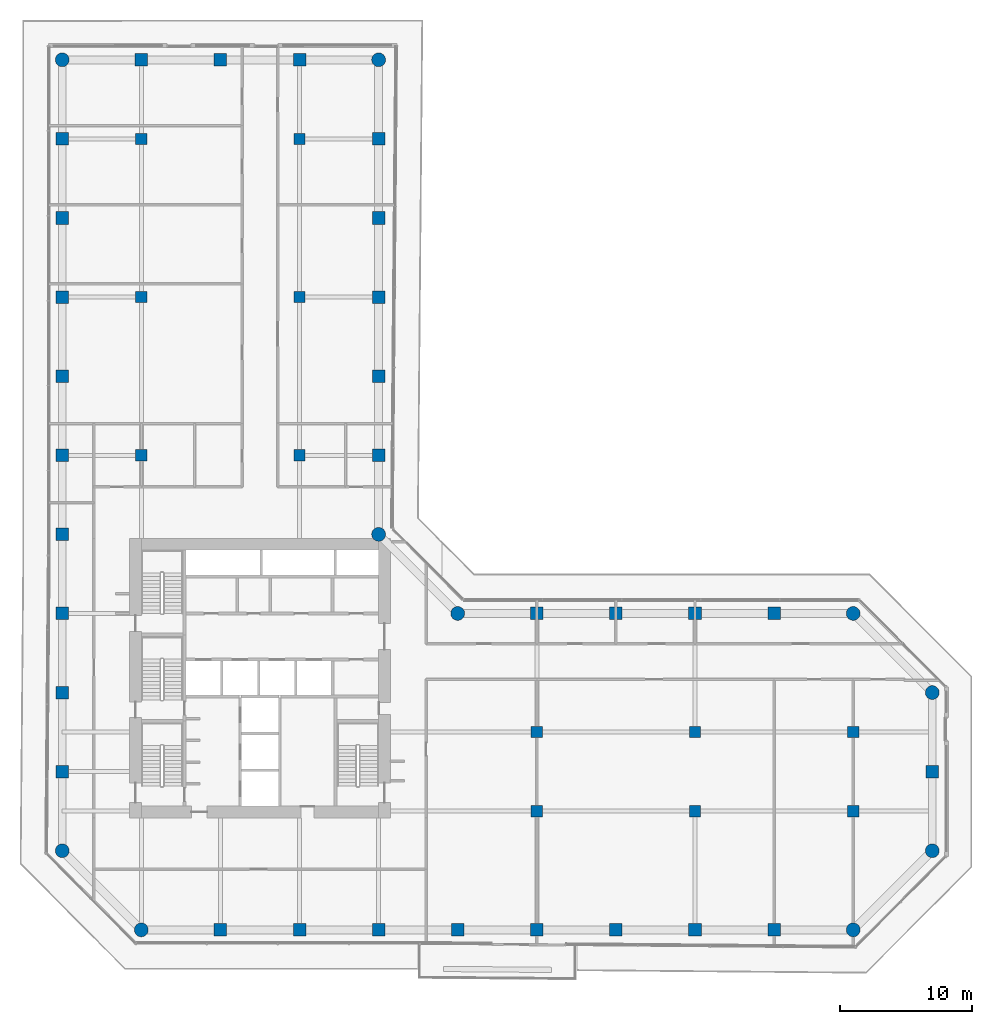
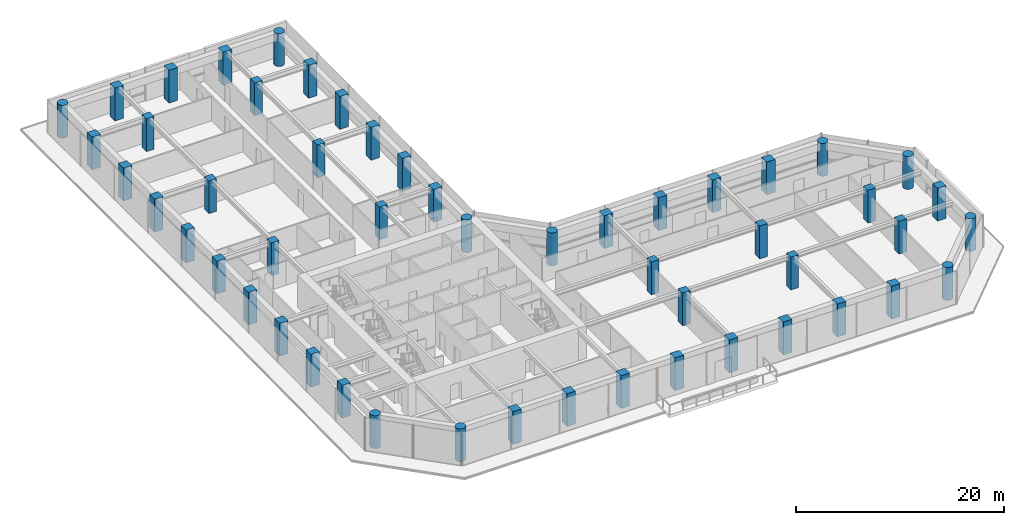
# One storey, part 1 of 29: 52 columns.
"""IFC4 building model written with IfcOpenShell, lengths in metres."""

from ifc_helpers import new_model, si_unit, direction, frame, origin, origin_2d, place, context, subcontext, project, spatial, rectangle, circle, extrude, material, material_profile, profile_set, type_object, element, save


model = new_model("IFC4")

# Units and contexts
model_context = context("Model", 3, precision=1e-05, world=origin(), true_north=direction((0.0, 1.0)))
body_context = subcontext(model_context, "Body", "Model", "MODEL_VIEW")
ifc_project = project(units=[si_unit("LENGTHUNIT", "METRE"), si_unit("AREAUNIT", "SQUARE_METRE"), si_unit("VOLUMEUNIT", "CUBIC_METRE"), si_unit("PLANEANGLEUNIT", "RADIAN"), si_unit("MASSUNIT", "GRAM", prefix="KILO")], contexts=[model_context])

# Site, building, storey
site_placement = place(None, origin())
site = spatial("IfcSite", under=ifc_project, at=site_placement, CompositionType="ELEMENT")
building_placement = place(site_placement, origin())
building = spatial("IfcBuilding", under=site, at=building_placement, Name="Welwitschia Terrace Campus", CompositionType="ELEMENT")
storey_placement = place(building_placement, frame((0.0, 0.0, 50.0)))
storey = spatial("IfcBuildingStorey", under=building, at=storey_placement, Name="L11", CompositionType="ELEMENT", Elevation=50.0)

# Columns
ifc_material_1 = material(Name="Concrete C60/75", Category="concrete")
ifc_material_profile_1 = material_profile(ifc_material_1, circle(Radius=0.52490234375, at=origin_2d()))
ifc_profile_set_1 = profile_set([ifc_material_profile_1], Name="Concrete C60/75")
column_type_1 = type_object("IfcColumnType", Name="Corner column 1050 dia", PredefinedType="COLUMN", material=ifc_profile_set_1)
for number, where, z_axis, x_axis, name in (
    (1, (0.0, 2.0, 0.0), (0.0, 0.0, 1.0), (1.0, 0.0, 0.0), "Column C5"),
    (2, (0.0, 62.0, 0.0), (0.0, 0.0, 1.0), (1.0, 0.0, 0.0), "Column C5"),
    (3, (6.0, -4.0, 0.0), (0.0, 0.0, 1.0), (1.0, 0.0, 0.0), "Column C5"),
    (4, (24.0, 26.0, 0.0), (0.0, 0.0, 1.0), (1.0, 0.0, 0.0), "Column C5"),
    (5, (24.0, 62.0, 0.0), (0.0, 0.0, 1.0), (1.0, 0.0, 0.0), "Column C5"),
    (6, (30.0, 20.0, 0.0), (0.0, 0.0, 1.0), (1.0, 0.0, 0.0), "Column C5"),
    (7, (60.0, -4.0, 0.0), (0.0, 0.0, 1.0), (1.0, 0.0, 0.0), "Column C5"),
    (8, (60.0, 20.0, 0.0), (0.0, 0.0, 1.0), (1.0, 0.0, 0.0), "Column C5"),
    (9, (66.0, 2.0, 0.0), (0.0, 0.0, 1.0), (1.0, 0.0, 0.0), "Column C5"),
    (10, (66.0, 14.0, 0.0), (0.0, 0.0, 1.0), (1.0, 0.0, 0.0), "Column C5"),
):
    element("IfcColumn", number, at=place(storey_placement, frame(where, z_axis=z_axis, x_axis=x_axis)), inside=storey, type_object=column_type_1, Name=name, PredefinedType="COLUMN", context=body_context, shape_type="SweptSolid", body=[
        extrude(circle(Radius=0.52490234375, at=origin_2d()), origin(), (0.0, 0.0, 1.0), 3.85009765625),
    ])
ifc_material_2 = material(Name="Concrete C60/75", Category="concrete")
ifc_material_profile_2 = material_profile(ifc_material_2, rectangle(XDim=0.85009765625, YDim=0.85009765625, at=origin_2d()))
ifc_profile_set_2 = profile_set([ifc_material_profile_2], Name="Concrete C60/75")
column_type_2 = type_object("IfcColumnType", Name="Interior column 850x850", PredefinedType="COLUMN", material=ifc_profile_set_2)
for number, where, z_axis, x_axis, name in (
    (11, (6.0, 32.0, 0.0), (0.0, 0.0, 1.0), (1.0, 0.0, 0.0), "Column C7"),
    (12, (6.0, 44.0, 0.0), (0.0, 0.0, 1.0), (1.0, 0.0, 0.0), "Column C7"),
    (13, (6.0, 56.0, 0.0), (0.0, 0.0, 1.0), (1.0, 0.0, 0.0), "Column C7"),
    (14, (18.0, 32.0, 0.0), (0.0, 0.0, 1.0), (1.0, 0.0, 0.0), "Column C7"),
    (15, (18.0, 44.0, 0.0), (0.0, 0.0, 1.0), (1.0, 0.0, 0.0), "Column C7"),
    (16, (18.0, 56.0, 0.0), (0.0, 0.0, 1.0), (1.0, 0.0, 0.0), "Column C7"),
    (17, (36.0, 5.0, 0.0), (0.0, 0.0, 1.0), (1.0, 0.0, 0.0), "Column C7"),
    (18, (36.0, 11.0, 0.0), (0.0, 0.0, 1.0), (1.0, 0.0, 0.0), "Column C7"),
    (19, (48.0, 5.0, 0.0), (0.0, 0.0, 1.0), (1.0, 0.0, 0.0), "Column C7"),
    (20, (48.0, 11.0, 0.0), (0.0, 0.0, 1.0), (1.0, 0.0, 0.0), "Column C7"),
    (21, (60.0, 5.0, 0.0), (0.0, 0.0, 1.0), (1.0, 0.0, 0.0), "Column C7"),
    (22, (60.0, 11.0, 0.0), (0.0, 0.0, 1.0), (1.0, 0.0, 0.0), "Column C7"),
):
    element("IfcColumn", number, at=place(storey_placement, frame(where, z_axis=z_axis, x_axis=x_axis)), inside=storey, type_object=column_type_2, Name=name, PredefinedType="COLUMN", context=body_context, shape_type="SweptSolid", body=[
        extrude(rectangle(XDim=0.85009765625, YDim=0.85009765625, at=origin_2d()), origin(), (0.0, 0.0, 1.0), 3.85009765625),
    ])
ifc_material_3 = material(Name="Concrete C60/75", Category="concrete")
ifc_material_profile_3 = material_profile(ifc_material_3, rectangle(XDim=0.949951171875, YDim=0.949951171875, at=origin_2d()))
ifc_profile_set_3 = profile_set([ifc_material_profile_3], Name="Concrete C60/75")
column_type_3 = type_object("IfcColumnType", Name="Ring column 950x950", PredefinedType="COLUMN", material=ifc_profile_set_3)
for number, where, z_axis, x_axis, name in (
    (23, (0.0, 8.0, 0.0), (0.0, 0.0, 1.0), (1.0, 0.0, 0.0), "Column C6"),
    (24, (0.0, 14.0, 0.0), (0.0, 0.0, 1.0), (1.0, 0.0, 0.0), "Column C6"),
    (25, (0.0, 20.0, 0.0), (0.0, 0.0, 1.0), (1.0, 0.0, 0.0), "Column C6"),
    (26, (0.0, 26.0, 0.0), (0.0, 0.0, 1.0), (1.0, 0.0, 0.0), "Column C6"),
    (27, (0.0, 32.0, 0.0), (0.0, 0.0, 1.0), (1.0, 0.0, 0.0), "Column C6"),
    (28, (0.0, 38.0, 0.0), (0.0, 0.0, 1.0), (1.0, 0.0, 0.0), "Column C6"),
    (29, (0.0, 44.0, 0.0), (0.0, 0.0, 1.0), (1.0, 0.0, 0.0), "Column C6"),
    (30, (0.0, 50.0, 0.0), (0.0, 0.0, 1.0), (1.0, 0.0, 0.0), "Column C6"),
    (31, (0.0, 56.0, 0.0), (0.0, 0.0, 1.0), (1.0, 0.0, 0.0), "Column C6"),
    (32, (6.0, 62.0, 0.0), (0.0, 0.0, 1.0), (1.0, 0.0, 0.0), "Column C6"),
    (33, (12.0, -4.0, 0.0), (0.0, 0.0, 1.0), (1.0, 0.0, 0.0), "Column C6"),
    (34, (12.0, 62.0, 0.0), (0.0, 0.0, 1.0), (1.0, 0.0, 0.0), "Column C6"),
    (35, (18.0, -4.0, 0.0), (0.0, 0.0, 1.0), (1.0, 0.0, 0.0), "Column C6"),
    (36, (18.0, 62.0, 0.0), (0.0, 0.0, 1.0), (1.0, 0.0, 0.0), "Column C6"),
    (37, (24.0, -4.0, 0.0), (0.0, 0.0, 1.0), (1.0, 0.0, 0.0), "Column C6"),
    (38, (24.0, 32.0, 0.0), (0.0, 0.0, 1.0), (1.0, 0.0, 0.0), "Column C6"),
    (39, (24.0, 38.0, 0.0), (0.0, 0.0, 1.0), (1.0, 0.0, 0.0), "Column C6"),
    (40, (24.0, 44.0, 0.0), (0.0, 0.0, 1.0), (1.0, 0.0, 0.0), "Column C6"),
    (41, (24.0, 50.0, 0.0), (0.0, 0.0, 1.0), (1.0, 0.0, 0.0), "Column C6"),
    (42, (24.0, 56.0, 0.0), (0.0, 0.0, 1.0), (1.0, 0.0, 0.0), "Column C6"),
    (43, (30.0, -4.0, 0.0), (0.0, 0.0, 1.0), (1.0, 0.0, 0.0), "Column C6"),
    (44, (36.0, -4.0, 0.0), (0.0, 0.0, 1.0), (1.0, 0.0, 0.0), "Column C6"),
    (45, (36.0, 20.0, 0.0), (0.0, 0.0, 1.0), (1.0, 0.0, 0.0), "Column C6"),
    (46, (42.0, -4.0, 0.0), (0.0, 0.0, 1.0), (1.0, 0.0, 0.0), "Column C6"),
    (47, (42.0, 20.0, 0.0), (0.0, 0.0, 1.0), (1.0, 0.0, 0.0), "Column C6"),
    (48, (48.0, -4.0, 0.0), (0.0, 0.0, 1.0), (1.0, 0.0, 0.0), "Column C6"),
    (49, (48.0, 20.0, 0.0), (0.0, 0.0, 1.0), (1.0, 0.0, 0.0), "Column C6"),
    (50, (54.0, -4.0, 0.0), (0.0, 0.0, 1.0), (1.0, 0.0, 0.0), "Column C6"),
    (51, (54.0, 20.0, 0.0), (0.0, 0.0, 1.0), (1.0, 0.0, 0.0), "Column C6"),
    (52, (66.0, 8.0, 0.0), (0.0, 0.0, 1.0), (1.0, 0.0, 0.0), "Column C6"),
):
    element("IfcColumn", number, at=place(storey_placement, frame(where, z_axis=z_axis, x_axis=x_axis)), inside=storey, type_object=column_type_3, Name=name, PredefinedType="COLUMN", context=body_context, shape_type="SweptSolid", body=[
        extrude(rectangle(XDim=0.949951171875, YDim=0.949951171875, at=origin_2d()), origin(), (0.0, 0.0, 1.0), 3.85009765625),
    ])

save(model, "model.ifc")
